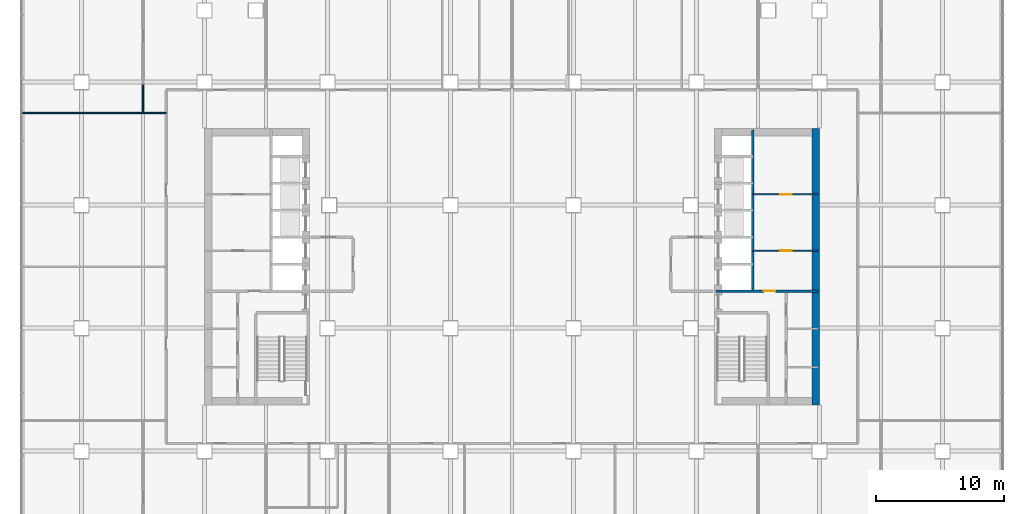
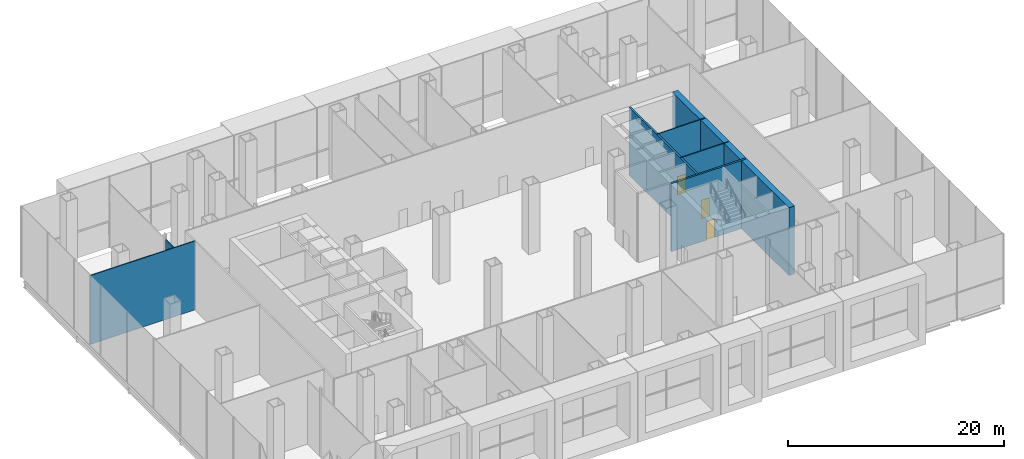
# One storey, part 17 of 24: 7 walls, 3 doors, 3 openings.
"""IFC4 building model written with IfcOpenShell, lengths in metres."""

from ifc_helpers import new_model, si_unit, direction, frame, frame_2d, origin, place, context, subcontext, project, spatial, rectangle, extrude, material, layer, layer_set, type_object, element, fill, save


model = new_model("IFC4")

# Units and contexts
model_context = context("Model", 3, precision=1e-05, world=origin(), true_north=direction((0.0, 1.0)))
body_context = subcontext(model_context, "Body", "Model", "MODEL_VIEW")
ifc_project = project(units=[si_unit("LENGTHUNIT", "METRE"), si_unit("AREAUNIT", "SQUARE_METRE"), si_unit("VOLUMEUNIT", "CUBIC_METRE"), si_unit("PLANEANGLEUNIT", "RADIAN"), si_unit("MASSUNIT", "GRAM", prefix="KILO")], contexts=[model_context])

# Site, building, storey
site_placement = place(None, origin())
site = spatial("IfcSite", under=ifc_project, at=site_placement, CompositionType="ELEMENT")
building_placement = place(site_placement, origin())
building = spatial("IfcBuilding", under=site, at=building_placement, Name="Cobrizo Arcos Hotel Tower", CompositionType="ELEMENT")
storey_placement = place(building_placement, frame((0.0, 0.0, 7.5)))
storey = spatial("IfcBuildingStorey", under=building, at=storey_placement, Name="L01", CompositionType="ELEMENT", Elevation=7.5)

# Wall, opening, door
ifc_material_1 = material(Name="Gypsum board partition")
ifc_layer_1 = layer(ifc_material_1, 0.10009765625)
ifc_layer_set_1 = layer_set([ifc_layer_1], Name="Partition EI 30 100")
wall_type_1 = type_object("IfcWallType", Name="Partition EI 30 100", PredefinedType="PARTITIONING", material=ifc_layer_set_1)
wall_1_placement = place(storey_placement, frame((18.800048828125, 1.25, 0.0), z_axis=(0.0, 0.0, 1.0), x_axis=(1.0, 0.0, 0.0)))
wall_1 = element("IfcWall", 1, at=wall_1_placement, inside=storey, type_object=wall_type_1, Name="Partition 020", PredefinedType="PARTITIONING", context=body_context, shape_type="SweptSolid", body=[
    extrude(rectangle(XDim=5.079833984375, YDim=0.10009765625, at=frame_2d((2.5400390625, 0.0))), origin(), (0.0, 0.0, 1.0), 7.699951171875),
])
opening_1_placement = place(wall_1_placement, frame((2.14990234375, 0.0, 0.0)))
opening_1 = element("IfcOpeningElement", 2, at=opening_1_placement, cuts=wall_1, Name="Opening RD-09", PredefinedType="OPENING", context=body_context, shape_type="SweptSolid", body=[
    extrude(rectangle(XDim=0.89990234375, YDim=2.10009765625, at=frame_2d((0.449951171875, 1.050048828125))), frame((0.0, 0.06201171875, 0.0), z_axis=(0.0, -1.0, 0.0), x_axis=(1.0, 0.0, 0.0)), (0.0, 0.0, 1.0), 0.1240234375),
])
ifc_material_2 = material(Name="Timber door leaf", Category="wood")
door_type = type_object("IfcDoorType", Name="Room door FD30 900x2100", OperationType="SINGLE_SWING_LEFT", PredefinedType="DOOR", material=ifc_material_2)
door_1_placement = place(opening_1_placement, origin())
door_1 = element("IfcDoor", 3, at=door_1_placement, inside=storey, type_object=door_type, Name="Door RD-09", OperationType="SINGLE_SWING_LEFT", OverallHeight=2.10009765625, OverallWidth=0.89990234375, PredefinedType="DOOR", context=body_context, shape_type="SweptSolid", body=[
    extrude(rectangle(XDim=0.89990234375, YDim=2.10009765625, at=frame_2d((0.449951171875, 1.050048828125))), frame((0.0, 0.02490234375, 0.0), z_axis=(0.0, -1.0, 0.0), x_axis=(1.0, 0.0, 0.0)), (0.0, 0.0, 1.0), 0.050048828125),
])
fill(opening_1, door_1)

wall_2_placement = place(storey_placement, frame((18.800048828125, 5.64990234375, 0.0), z_axis=(0.0, 0.0, 1.0), x_axis=(1.0, 0.0, 0.0)))
wall_2 = element("IfcWall", 4, at=wall_2_placement, inside=storey, type_object=wall_type_1, Name="Partition 028", PredefinedType="PARTITIONING", context=body_context, shape_type="SweptSolid", body=[
    extrude(rectangle(XDim=5.079833984375, YDim=0.10009765625, at=frame_2d((2.5400390625, 0.0))), origin(), (0.0, 0.0, 1.0), 7.699951171875),
])
opening_2_placement = place(wall_2_placement, frame((2.14990234375, 0.0, 0.0)))
opening_2 = element("IfcOpeningElement", 5, at=opening_2_placement, cuts=wall_2, Name="Opening RD-10", PredefinedType="OPENING", context=body_context, shape_type="SweptSolid", body=[
    extrude(rectangle(XDim=0.89990234375, YDim=2.10009765625, at=frame_2d((0.449951171875, 1.050048828125))), frame((0.0, 0.06201171875, 0.0), z_axis=(0.0, -1.0, 0.0), x_axis=(1.0, 0.0, 0.0)), (0.0, 0.0, 1.0), 0.1240234375),
])
door_2_placement = place(opening_2_placement, origin())
door_2 = element("IfcDoor", 6, at=door_2_placement, inside=storey, type_object=door_type, Name="Door RD-10", OperationType="SINGLE_SWING_LEFT", OverallHeight=2.10009765625, OverallWidth=0.89990234375, PredefinedType="DOOR", context=body_context, shape_type="SweptSolid", body=[
    extrude(rectangle(XDim=0.89990234375, YDim=2.10009765625, at=frame_2d((0.449951171875, 1.050048828125))), frame((0.0, 0.02490234375, 0.0), z_axis=(0.0, -1.0, 0.0), x_axis=(1.0, 0.0, 0.0)), (0.0, 0.0, 1.0), 0.050048828125),
])
fill(opening_2, door_2)

# Walls
wall_3_placement = place(storey_placement, frame((-38.280029296875, 12.0, 0.0), z_axis=(0.0, 0.0, 1.0), x_axis=(1.0, 0.0, 0.0)))
element("IfcWall", 7, at=wall_3_placement, inside=storey, type_object=wall_type_1, Name="Partition 033", PredefinedType="PARTITIONING", context=body_context, shape_type="SweptSolid", body=[
    extrude(rectangle(XDim=11.280029296875, YDim=0.10009765625, at=frame_2d((5.64013671875, 0.0))), origin(), (0.0, 0.0, 1.0), 7.800048828125),
])
wall_4_placement = place(storey_placement, frame((-28.800048828125, 12.050048828125, 0.0), z_axis=(0.0, 0.0, 1.0), x_axis=(0.0, 1.0, 0.0)))
element("IfcWall", 8, at=wall_4_placement, inside=storey, type_object=wall_type_1, Name="Partition 039", PredefinedType="PARTITIONING", context=body_context, shape_type="SweptSolid", body=[
    extrude(rectangle(XDim=2.196044921875, YDim=0.10009765625, at=frame_2d((1.09814453125, 0.0))), origin(), (0.0, 0.0, 1.0), 7.18310546875),
])
ifc_material_3 = material(Name="Concrete f'c 60 MPa", Category="concrete")
ifc_layer_2 = layer(ifc_material_3, 0.60009765625)
ifc_layer_set_2 = layer_set([ifc_layer_2], Name="RC core wall 600 f'c 60")
wall_type_2 = type_object("IfcWallType", Name="RC core wall 600 f'c 60", PredefinedType="SHEAR", material=ifc_layer_set_2)
wall_5_placement = place(storey_placement, frame((23.699951171875, -10.800048828125, 0.0), z_axis=(0.0, 0.0, 1.0), x_axis=(0.0, 1.0, 0.0)))
element("IfcWall", 9, at=wall_5_placement, inside=storey, type_object=wall_type_2, Name="Core wall CW1, east core, outer face, L01", PredefinedType="SHEAR", context=body_context, shape_type="SweptSolid", body=[
    extrude(rectangle(XDim=21.60009765625, YDim=0.60009765625, at=frame_2d((10.800048828125, 0.0))), origin(), (0.0, 0.0, 1.0), 7.699951171875),
])

# Wall, opening, door
ifc_layer_3 = layer(ifc_material_1, 0.199951171875)
ifc_layer_set_3 = layer_set([ifc_layer_3], Name="Shaft wall EI 120 200")
wall_type_3 = type_object("IfcWallType", Name="Shaft wall EI 120 200", PredefinedType="PARTITIONING", material=ifc_layer_set_3)
wall_6_placement = place(storey_placement, frame((15.919921875, -1.89990234375, 0.0), z_axis=(0.0, 0.0, 1.0), x_axis=(1.0, 0.0, 0.0)))
wall_6 = element("IfcWall", 10, at=wall_6_placement, inside=storey, type_object=wall_type_3, Name="Partition 014", PredefinedType="PARTITIONING", context=body_context, shape_type="SweptSolid", body=[
    extrude(rectangle(XDim=7.9599609375, YDim=0.199951171875, at=frame_2d((3.97998046875, 0.0))), origin(), (0.0, 0.0, 1.0), 7.699951171875),
])
opening_3_placement = place(wall_6_placement, frame((3.739990234375, 0.0, 0.0)))
opening_3 = element("IfcOpeningElement", 11, at=opening_3_placement, cuts=wall_6, Name="Opening RD-08", PredefinedType="OPENING", context=body_context, shape_type="SweptSolid", body=[
    extrude(rectangle(XDim=0.89990234375, YDim=2.10009765625, at=frame_2d((0.449951171875, 1.050048828125))), frame((0.0, 0.112060546875, 0.0), z_axis=(0.0, -1.0, 0.0), x_axis=(1.0, 0.0, 0.0)), (0.0, 0.0, 1.0), 0.223876953125),
])
door_3_placement = place(opening_3_placement, origin())
door_3 = element("IfcDoor", 12, at=door_3_placement, inside=storey, type_object=door_type, Name="Door RD-08", OperationType="SINGLE_SWING_RIGHT", OverallHeight=2.10009765625, OverallWidth=0.89990234375, PredefinedType="DOOR", context=body_context, shape_type="SweptSolid", body=[
    extrude(rectangle(XDim=0.89990234375, YDim=2.10009765625, at=frame_2d((0.449951171875, 1.050048828125))), frame((0.0, 0.02490234375, 0.0), z_axis=(0.0, -1.0, 0.0), x_axis=(1.0, 0.0, 0.0)), (0.0, 0.0, 1.0), 0.050048828125),
])
fill(opening_3, door_3)

# Wall
wall_7_placement = place(storey_placement, frame((18.800048828125, -1.800048828125, 0.0), z_axis=(0.0, 0.0, 1.0), x_axis=(0.0, 1.0, 0.0)))
element("IfcWall", 13, at=wall_7_placement, inside=storey, type_object=wall_type_3, Name="Partition 065", PredefinedType="PARTITIONING", context=body_context, shape_type="SweptSolid", body=[
    extrude(rectangle(XDim=12.47998046875, YDim=0.199951171875, at=frame_2d((6.239990234375, 0.0))), origin(), (0.0, 0.0, 1.0), 7.699951171875),
])

save(model, "model.ifc")
